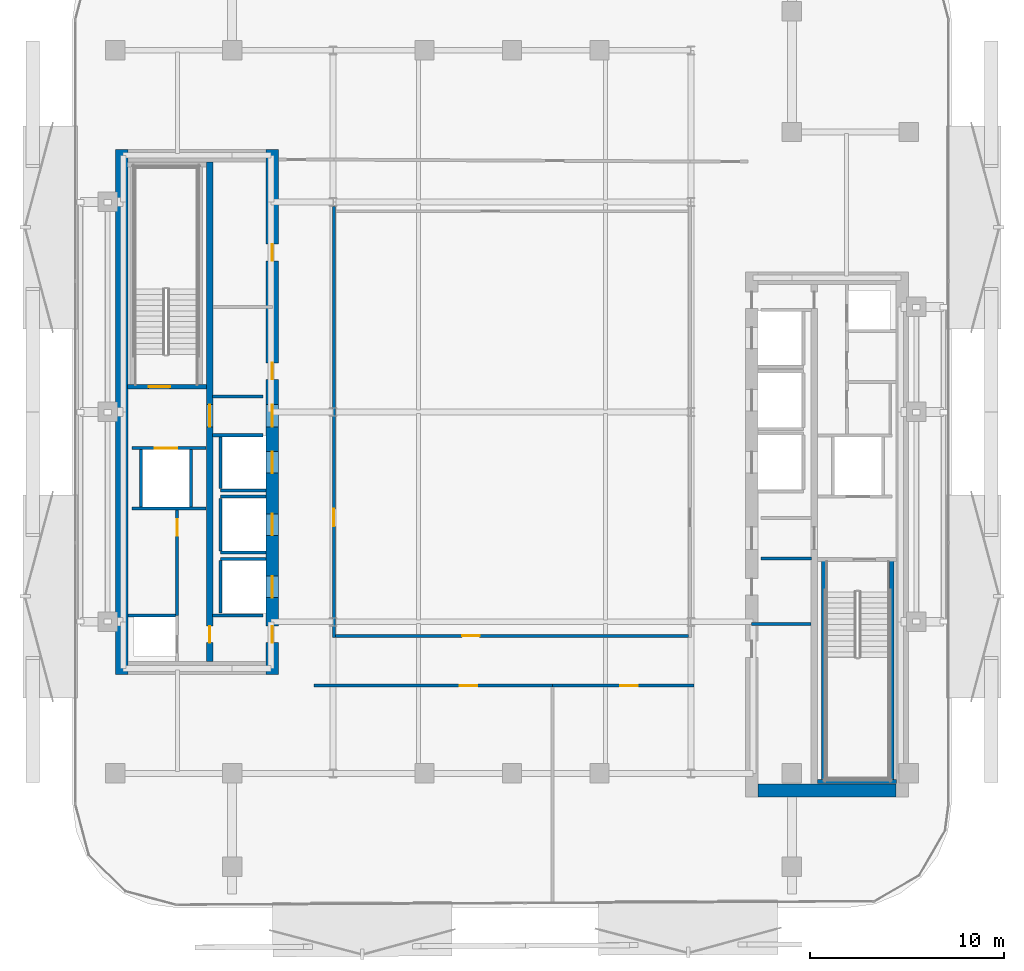
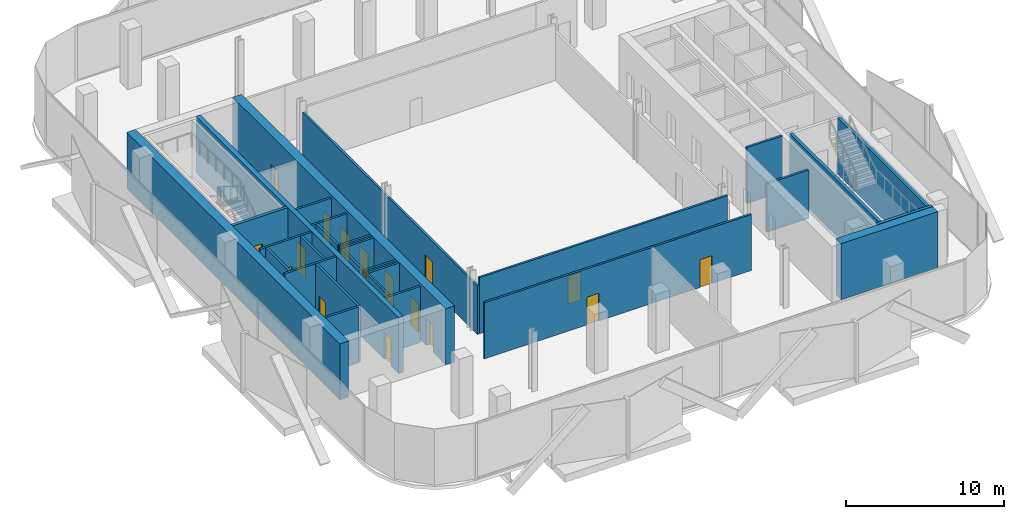
# One storey, part 3 of 14: 30 walls, 16 doors, 16 openings.
"""IFC4 building model written with IfcOpenShell, lengths in metres."""

from ifc_helpers import new_model, si_unit, direction, frame, frame_2d, origin, place, context, subcontext, project, spatial, rectangle, extrude, material, layer, layer_set, type_object, element, fill, save


model = new_model("IFC4")

# Units and contexts
model_context = context("Model", 3, precision=1e-05, world=origin(), true_north=direction((0.0, 1.0)))
body_context = subcontext(model_context, "Body", "Model", "MODEL_VIEW")
ifc_project = project(units=[si_unit("LENGTHUNIT", "METRE"), si_unit("AREAUNIT", "SQUARE_METRE"), si_unit("VOLUMEUNIT", "CUBIC_METRE"), si_unit("PLANEANGLEUNIT", "RADIAN"), si_unit("MASSUNIT", "GRAM", prefix="KILO")], contexts=[model_context])

# Site, building, storey
site_placement = place(None, origin())
site = spatial("IfcSite", under=ifc_project, at=site_placement, CompositionType="ELEMENT")
building_placement = place(site_placement, origin())
building = spatial("IfcBuilding", under=site, at=building_placement, Name="Khairoan Windgate Tower", CompositionType="ELEMENT")
storey_placement = place(building_placement, frame((0.0, 0.0, 160.39990234375)))
storey = spatial("IfcBuildingStorey", under=building, at=storey_placement, Name="L36", CompositionType="ELEMENT", Elevation=160.39990234375)

# Walls
ifc_material_1 = material(Name="Concrete C40/50", Category="concrete")
ifc_layer_1 = layer(ifc_material_1, 0.159912109375, Name="Concrete C40/50")
ifc_layer_set_1 = layer_set([ifc_layer_1], Name="Concrete C40/50")
wall_type_1 = type_object("IfcWallType", Name="Core and Hoistway Enclosure Wall", PredefinedType="STANDARD", material=ifc_layer_set_1)
wall_1_placement = place(storey_placement, frame((-14.989990234375, -4.0400390625, 0.0), z_axis=(0.0, 0.0, 1.0), x_axis=(1.0, 0.0, 0.0)))
element("IfcWall", 1, at=wall_1_placement, inside=storey, type_object=wall_type_1, Name="L36 Lift PL4 Hoistway Divider S", PredefinedType="STANDARD", context=body_context, shape_type="SweptSolid", body=[
    extrude(rectangle(XDim=2.340087890625, YDim=0.159912109375, at=frame_2d((1.169921875, 0.0))), origin(), (0.0, 0.0, 1.0), 4.340087890625),
])
wall_2_placement = place(storey_placement, frame((-14.989990234375, -3.949951171875, 0.0), z_axis=(0.0, 0.0, 1.0), x_axis=(0.0, 1.0, 0.0)))
element("IfcWall", 2, at=wall_2_placement, inside=storey, type_object=wall_type_1, Name="L36 Lift PL4 Hoistway Back Wall", PredefinedType="STANDARD", context=body_context, shape_type="SweptSolid", body=[
    extrude(rectangle(XDim=2.699951171875, YDim=0.159912109375, at=frame_2d((1.35009765625, 0.0))), origin(), (0.0, 0.0, 1.0), 4.340087890625),
])
for number, where, z_axis, x_axis, name in (
    (3, (-14.989990234375, -7.239990234375, 0.0), (0.0, 0.0, 1.0), (1.0, 0.0, 0.0), "L36 Lift PL5 Hoistway Divider S"),
    (4, (-14.989990234375, -4.360107421875, 0.0), (0.0, 0.0, 1.0), (1.0, 0.0, 0.0), "L36 Lift PL5 Hoistway Divider N"),
):
    element("IfcWall", number, at=place(storey_placement, frame(where, z_axis=z_axis, x_axis=x_axis)), inside=storey, type_object=wall_type_1, Name=name, PredefinedType="STANDARD", context=body_context, shape_type="SweptSolid", body=[
        extrude(rectangle(XDim=2.340087890625, YDim=0.159912109375, at=frame_2d((1.169921875, 0.0))), origin(), (0.0, 0.0, 1.0), 4.340087890625),
    ])
wall_3_placement = place(storey_placement, frame((-14.989990234375, -7.14990234375, 0.0), z_axis=(0.0, 0.0, 1.0), x_axis=(0.0, 1.0, 0.0)))
element("IfcWall", 5, at=wall_3_placement, inside=storey, type_object=wall_type_1, Name="L36 Lift PL5 Hoistway Back Wall", PredefinedType="STANDARD", context=body_context, shape_type="SweptSolid", body=[
    extrude(rectangle(XDim=2.699951171875, YDim=0.159912109375, at=frame_2d((1.35009765625, 0.0))), origin(), (0.0, 0.0, 1.0), 4.340087890625),
])
wall_4_placement = place(storey_placement, frame((-14.989990234375, -7.56005859375, 0.0), z_axis=(0.0, 0.0, 1.0), x_axis=(1.0, 0.0, 0.0)))
element("IfcWall", 6, at=wall_4_placement, inside=storey, type_object=wall_type_1, Name="L36 Lift PL6 Hoistway Divider N", PredefinedType="STANDARD", context=body_context, shape_type="SweptSolid", body=[
    extrude(rectangle(XDim=2.340087890625, YDim=0.159912109375, at=frame_2d((1.169921875, 0.0))), origin(), (0.0, 0.0, 1.0), 4.340087890625),
])
wall_5_placement = place(storey_placement, frame((-14.989990234375, -10.35009765625, 0.0), z_axis=(0.0, 0.0, 1.0), x_axis=(0.0, 1.0, 0.0)))
element("IfcWall", 7, at=wall_5_placement, inside=storey, type_object=wall_type_1, Name="L36 Lift PL6 Hoistway Back Wall", PredefinedType="STANDARD", context=body_context, shape_type="SweptSolid", body=[
    extrude(rectangle(XDim=2.7001953125, YDim=0.159912109375, at=frame_2d((1.35009765625, 0.0))), origin(), (0.0, 0.0, 1.0), 4.340087890625),
])

# Wall, opening, door
wall_6_placement = place(storey_placement, frame((-19.550048828125, -1.860107421875, 0.0), z_axis=(0.0, 0.0, 1.0), x_axis=(1.0, 0.0, 0.0)))
wall_6 = element("IfcWall", 8, at=wall_6_placement, inside=storey, type_object=wall_type_1, Name="L36 Core Shaft Wall SW-FL2-L36", PredefinedType="STANDARD", context=body_context, shape_type="SweptSolid", body=[
    extrude(rectangle(XDim=3.800048828125, YDim=0.159912109375, at=frame_2d((1.89990234375, 0.0))), origin(), (0.0, 0.0, 1.0), 4.340087890625),
])
opening_1_placement = place(wall_6_placement, frame((1.179931640625, 0.0, 0.0)))
opening_1 = element("IfcOpeningElement", 9, at=opening_1_placement, cuts=wall_6, Name="Opening LD-FL", PredefinedType="OPENING", context=body_context, shape_type="SweptSolid", body=[
    extrude(rectangle(XDim=1.14990234375, YDim=2.199951171875, at=frame_2d((0.574951171875, 1.10009765625))), frame((0.0, 0.08984375, 0.0), z_axis=(0.0, -1.0, 0.0), x_axis=(1.0, 0.0, 0.0)), (0.0, 0.0, 1.0), 0.179931640625),
])
ifc_material_2 = material(Name="Steel S355", Category="steel")
door_type_1 = type_object("IfcDoorType", Name="Firefighting Lift Sliding Landing Door LD-FL 1150x2200", OperationType="DOUBLE_DOOR_SLIDING", PredefinedType="DOOR", material=ifc_material_2)
door_1_placement = place(opening_1_placement, origin())
door_1 = element("IfcDoor", 10, at=door_1_placement, inside=storey, type_object=door_type_1, Name="L36 Firefighting Lift FL2 Landing Door", OperationType="DOUBLE_DOOR_SLIDING", OverallHeight=2.199951171875, OverallWidth=1.14990234375, PredefinedType="DOOR", context=body_context, shape_type="SweptSolid", body=[
    extrude(rectangle(XDim=1.14990234375, YDim=2.199951171875, at=frame_2d((0.574951171875, 1.10009765625))), frame((0.0, 0.02490234375, 0.0), z_axis=(0.0, -1.0, 0.0), x_axis=(1.0, 0.0, 0.0)), (0.0, 0.0, 1.0), 0.050048828125),
])
fill(opening_1, door_1)

# Walls
wall_7_placement = place(storey_placement, frame((-19.550048828125, -4.97998046875, 0.0), z_axis=(0.0, 0.0, 1.0), x_axis=(1.0, 0.0, 0.0)))
element("IfcWall", 11, at=wall_7_placement, inside=storey, type_object=wall_type_1, Name="L36 Core Shaft Wall SW-FL2B-L36", PredefinedType="STANDARD", context=body_context, shape_type="SweptSolid", body=[
    extrude(rectangle(XDim=3.800048828125, YDim=0.159912109375, at=frame_2d((1.89990234375, 0.0))), origin(), (0.0, 0.0, 1.0), 4.340087890625),
])
for number, where, z_axis, x_axis, name in (
    (12, (-19.080078125, -4.89990234375, 0.0), (0.0, 0.0, 1.0), (0.0, 1.0, 0.0), "L36 Core Shaft Wall SW-FL2W-L36"),
    (13, (-16.52001953125, -4.89990234375, 0.0), (0.0, 0.0, 1.0), (0.0, 1.0, 0.0), "L36 Core Shaft Wall SW-FL2E-L36"),
):
    element("IfcWall", number, at=place(storey_placement, frame(where, z_axis=z_axis, x_axis=x_axis)), inside=storey, type_object=wall_type_1, Name=name, PredefinedType="STANDARD", context=body_context, shape_type="SweptSolid", body=[
        extrude(rectangle(XDim=2.9599609375, YDim=0.159912109375, at=frame_2d((1.47998046875, 0.0))), origin(), (0.0, 0.0, 1.0), 4.340087890625),
    ])
for number, where, z_axis, x_axis, name in (
    (14, (-15.39990234375, 0.800048828125, 0.0), (0.0, 0.0, 1.0), (1.0, 0.0, 0.0), "L36 Core Shaft Wall SW-WV1-L36"),
    (15, (-15.39990234375, -1.199951171875, 0.0), (0.0, 0.0, 1.0), (1.0, 0.0, 0.0), "L36 Core Shaft Wall SW-WV2-L36"),
    (16, (-15.39990234375, -10.47998046875, 0.0), (0.0, 0.0, 1.0), (1.0, 0.0, 0.0), "L36 Core Shaft Wall SW-WSV-L36"),
    (17, (12.800048828125, -7.5400390625, 0.0), (0.0, 0.0, 1.0), (1.0, 0.0, 0.0), "L36 Core Shaft Wall SW-EV2-L36"),
):
    element("IfcWall", number, at=place(storey_placement, frame(where, z_axis=z_axis, x_axis=x_axis)), inside=storey, type_object=wall_type_1, Name=name, PredefinedType="STANDARD", context=body_context, shape_type="SweptSolid", body=[
        extrude(rectangle(XDim=2.599853515625, YDim=0.159912109375, at=frame_2d((1.2998046875, 0.0))), origin(), (0.0, 0.0, 1.0), 4.340087890625),
    ])

# Wall, opening, door
ifc_material_3 = material(Name="Concrete C40/50", Category="concrete")
ifc_layer_2 = layer(ifc_material_3, 0.159912109375, Name="Concrete C40/50")
ifc_layer_set_2 = layer_set([ifc_layer_2], Name="Concrete C40/50")
wall_type_2 = type_object("IfcWallType", Name="Plant and Refuge Compartment Wall", PredefinedType="PARTITIONING", material=ifc_layer_set_2)
wall_8_placement = place(storey_placement, frame((-17.22998046875, -10.469970703125, 0.0), z_axis=(0.0, 0.0, 1.0), x_axis=(0.0, 1.0, 0.0)))
wall_8 = element("IfcWall", 18, at=wall_8_placement, inside=storey, type_object=wall_type_2, Name="L36 Interior Partition 002", PredefinedType="PARTITIONING", context=body_context, shape_type="SweptSolid", body=[
    extrude(rectangle(XDim=5.409912109375, YDim=0.159912109375, at=frame_2d((2.705078125, 0.0))), origin(), (0.0, 0.0, 1.0), 4.340087890625),
])
opening_2_placement = place(wall_8_placement, frame((4.10009765625, 0.0, 0.0)))
opening_2 = element("IfcOpeningElement", 19, at=opening_2_placement, cuts=wall_8, Name="Opening FD-SRV", PredefinedType="OPENING", context=body_context, shape_type="SweptSolid", body=[
    extrude(rectangle(XDim=0.85009765625, YDim=2.10009765625, at=frame_2d((0.425048828125, 1.050048828125))), frame((0.0, 0.08984375, 0.0), z_axis=(0.0, -1.0, 0.0), x_axis=(1.0, 0.0, 0.0)), (0.0, 0.0, 1.0), 0.179931640625),
])
ifc_material_4 = material(Name="Steel S355", Category="steel")
door_type_2 = type_object("IfcDoorType", Name="Core Service and Riser Fire Door FD-SRV 850x2100", OperationType="NOTDEFINED", PredefinedType="DOOR", material=ifc_material_4)
door_2_placement = place(opening_2_placement, origin())
door_2 = element("IfcDoor", 20, at=door_2_placement, inside=storey, type_object=door_type_2, Name="L36 L36-04-L36-06 Door", OperationType="SINGLE_SWING_RIGHT", OverallHeight=2.10009765625, OverallWidth=0.85009765625, PredefinedType="DOOR", context=body_context, shape_type="SweptSolid", body=[
    extrude(rectangle(XDim=0.85009765625, YDim=2.10009765625, at=frame_2d((0.425048828125, 1.050048828125))), frame((0.0, 0.02490234375, 0.0), z_axis=(0.0, -1.0, 0.0), x_axis=(1.0, 0.0, 0.0)), (0.0, 0.0, 1.0), 0.050048828125),
])
fill(opening_2, door_2)

# Walls
wall_9_placement = place(storey_placement, frame((-19.75, -10.469970703125, 0.0), z_axis=(0.0, 0.0, 1.0), x_axis=(1.0, 0.0, 0.0)))
element("IfcWall", 21, at=wall_9_placement, inside=storey, type_object=wall_type_2, Name="L36 Interior Partition 003", PredefinedType="PARTITIONING", context=body_context, shape_type="SweptSolid", body=[
    extrude(rectangle(XDim=2.43994140625, YDim=0.159912109375, at=frame_2d((1.219970703125, 0.0))), origin(), (0.0, 0.0, 1.0), 4.340087890625),
])
wall_10_placement = place(storey_placement, frame((12.31005859375, -10.919921875, 0.0), z_axis=(0.0, 0.0, 1.0), x_axis=(1.0, 0.0, 0.0)))
element("IfcWall", 22, at=wall_10_placement, inside=storey, type_object=wall_type_2, Name="L36 Interior Partition 010", PredefinedType="PARTITIONING", context=body_context, shape_type="SweptSolid", body=[
    extrude(rectangle(XDim=3.06494140625, YDim=0.159912109375, at=frame_2d((1.532470703125, 0.0))), origin(), (0.0, 0.0, 1.0), 3.752197265625),
])

# Wall, opening, door
ifc_material_5 = material(Name="Acoustic Fire-Rated Gypsum Partition", Category="gypsum")
ifc_layer_3 = layer(ifc_material_5, 0.14990234375, Name="Acoustic Fire-Rated Gypsum Partition")
ifc_layer_set_3 = layer_set([ifc_layer_3], Name="Acoustic Fire-Rated Gypsum Partition")
wall_type_3 = type_object("IfcWallType", Name="Rated Corridor Partition Wall", PredefinedType="PARTITIONING", material=ifc_layer_set_3)
wall_11_placement = place(storey_placement, frame((-9.159912109375, -11.594970703125, 0.0), z_axis=(0.0, 0.0, 1.0), x_axis=(0.0, 1.0, 0.0)))
wall_11 = element("IfcWall", 23, at=wall_11_placement, inside=storey, type_object=wall_type_3, Name="L36 Interior Partition 011", PredefinedType="PARTITIONING", context=body_context, shape_type="SweptSolid", body=[
    extrude(rectangle(XDim=22.169677734375, YDim=0.14990234375, at=frame_2d((11.0849609375, 0.0))), origin(), (0.0, 0.0, 1.0), 3.752197265625),
])
opening_3_placement = place(wall_11_placement, frame((5.7041015625, 0.0, 0.0)))
opening_3 = element("IfcOpeningElement", 24, at=opening_3_placement, cuts=wall_11, Name="Opening FD-ENT", PredefinedType="OPENING", context=body_context, shape_type="SweptSolid", body=[
    extrude(rectangle(XDim=0.89990234375, YDim=2.14990234375, at=frame_2d((0.449951171875, 1.074951171875))), frame((0.0, 0.0849609375, 0.0), z_axis=(0.0, -1.0, 0.0), x_axis=(1.0, 0.0, 0.0)), (0.0, 0.0, 1.0), 0.169921875),
])
ifc_material_6 = material(Name="Timber Fire-Rated Core", Category="wood")
door_type_3 = type_object("IfcDoorType", Name="Unit and Office Fire Entrance Door FD-ENT 900x2150", OperationType="NOTDEFINED", PredefinedType="DOOR", material=ifc_material_6)
door_3_placement = place(opening_3_placement, origin())
door_3 = element("IfcDoor", 25, at=door_3_placement, inside=storey, type_object=door_type_3, Name="L36 L36-28-L36-32 Door", OperationType="SINGLE_SWING_RIGHT", OverallHeight=2.14990234375, OverallWidth=0.89990234375, PredefinedType="DOOR", context=body_context, shape_type="SweptSolid", body=[
    extrude(rectangle(XDim=0.89990234375, YDim=2.14990234375, at=frame_2d((0.449951171875, 1.074951171875))), frame((0.0, 0.02490234375, 0.0), z_axis=(0.0, -1.0, 0.0), x_axis=(1.0, 0.0, 0.0)), (0.0, 0.0, 1.0), 0.050048828125),
])
fill(opening_3, door_3)

wall_12_placement = place(storey_placement, frame((-9.0849609375, -11.52001953125, 0.0), z_axis=(0.0, 0.0, 1.0), x_axis=(1.0, 0.0, 0.0)))
wall_12 = element("IfcWall", 26, at=wall_12_placement, inside=storey, type_object=wall_type_3, Name="L36 Interior Partition 015", PredefinedType="PARTITIONING", context=body_context, shape_type="SweptSolid", body=[
    extrude(rectangle(XDim=18.169921875, YDim=0.14990234375, at=frame_2d((9.0849609375, 0.0))), origin(), (0.0, 0.0, 1.0), 4.340087890625),
])
opening_4_placement = place(wall_12_placement, frame((6.515625, 0.0, 0.0)))
opening_4 = element("IfcOpeningElement", 27, at=opening_4_placement, cuts=wall_12, Name="Opening FD-ENT", PredefinedType="OPENING", context=body_context, shape_type="SweptSolid", body=[
    extrude(rectangle(XDim=0.89990234375, YDim=2.14990234375, at=frame_2d((0.449951171875, 1.074951171875))), frame((0.0, 0.0849609375, 0.0), z_axis=(0.0, -1.0, 0.0), x_axis=(1.0, 0.0, 0.0)), (0.0, 0.0, 1.0), 0.169921875),
])
door_4_placement = place(opening_4_placement, origin())
door_4 = element("IfcDoor", 28, at=door_4_placement, inside=storey, type_object=door_type_3, Name="L36 L36-30-L36-32 Door", OperationType="SINGLE_SWING_RIGHT", OverallHeight=2.14990234375, OverallWidth=0.89990234375, PredefinedType="DOOR", context=body_context, shape_type="SweptSolid", body=[
    extrude(rectangle(XDim=0.89990234375, YDim=2.14990234375, at=frame_2d((0.449951171875, 1.074951171875))), frame((0.0, 0.02490234375, 0.0), z_axis=(0.0, -1.0, 0.0), x_axis=(1.0, 0.0, 0.0)), (0.0, 0.0, 1.0), 0.050048828125),
])
fill(opening_4, door_4)

wall_13_placement = place(storey_placement, frame((-10.18994140625, -14.080078125, 0.0), z_axis=(0.0, 0.0, 1.0), x_axis=(1.0, 0.0, 0.0)))
wall_13 = element("IfcWall", 29, at=wall_13_placement, inside=storey, type_object=wall_type_3, Name="L36 Interior Partition 016", PredefinedType="PARTITIONING", context=body_context, shape_type="SweptSolid", body=[
    extrude(rectangle(XDim=12.27001953125, YDim=0.14990234375, at=frame_2d((6.135009765625, 0.0))), origin(), (0.0, 0.0, 1.0), 4.340087890625),
])
opening_5_placement = place(wall_13_placement, frame((7.49365234375, 0.0, 0.0)))
opening_5 = element("IfcOpeningElement", 30, at=opening_5_placement, cuts=wall_13, Name="Opening FD-ENT", PredefinedType="OPENING", context=body_context, shape_type="SweptSolid", body=[
    extrude(rectangle(XDim=0.89990234375, YDim=2.14990234375, at=frame_2d((0.449951171875, 1.074951171875))), frame((0.0, 0.0849609375, 0.0), z_axis=(0.0, -1.0, 0.0), x_axis=(1.0, 0.0, 0.0)), (0.0, 0.0, 1.0), 0.169921875),
])
door_5_placement = place(opening_5_placement, origin())
door_5 = element("IfcDoor", 31, at=door_5_placement, inside=storey, type_object=door_type_3, Name="L36 L36-30-L36-34 Door", OperationType="SINGLE_SWING_LEFT", OverallHeight=2.14990234375, OverallWidth=0.89990234375, PredefinedType="DOOR", context=body_context, shape_type="SweptSolid", body=[
    extrude(rectangle(XDim=0.89990234375, YDim=2.14990234375, at=frame_2d((0.449951171875, 1.074951171875))), frame((0.0, 0.02490234375, 0.0), z_axis=(0.0, -1.0, 0.0), x_axis=(1.0, 0.0, 0.0)), (0.0, 0.0, 1.0), 0.050048828125),
])
fill(opening_5, door_5)

wall_14_placement = place(storey_placement, frame((2.080078125, -14.080078125, 0.0), z_axis=(0.0, 0.0, 1.0), x_axis=(1.0, 0.0, 0.0)))
wall_14 = element("IfcWall", 32, at=wall_14_placement, inside=storey, type_object=wall_type_3, Name="L36 Interior Partition 017", PredefinedType="PARTITIONING", context=body_context, shape_type="SweptSolid", body=[
    extrude(rectangle(XDim=7.280029296875, YDim=0.14990234375, at=frame_2d((3.64013671875, 0.0))), origin(), (0.0, 0.0, 1.0), 4.340087890625),
])
opening_6_placement = place(wall_14_placement, frame((3.493408203125, 0.0, 0.0)))
opening_6 = element("IfcOpeningElement", 33, at=opening_6_placement, cuts=wall_14, Name="Opening FD-ENT", PredefinedType="OPENING", context=body_context, shape_type="SweptSolid", body=[
    extrude(rectangle(XDim=0.89990234375, YDim=2.14990234375, at=frame_2d((0.449951171875, 1.074951171875))), frame((0.0, 0.0849609375, 0.0), z_axis=(0.0, -1.0, 0.0), x_axis=(1.0, 0.0, 0.0)), (0.0, 0.0, 1.0), 0.169921875),
])
door_6_placement = place(opening_6_placement, origin())
door_6 = element("IfcDoor", 34, at=door_6_placement, inside=storey, type_object=door_type_3, Name="L36 L36-30-L36-35 Door", OperationType="SINGLE_SWING_RIGHT", OverallHeight=2.14990234375, OverallWidth=0.89990234375, PredefinedType="DOOR", context=body_context, shape_type="SweptSolid", body=[
    extrude(rectangle(XDim=0.89990234375, YDim=2.14990234375, at=frame_2d((0.449951171875, 1.074951171875))), frame((0.0, 0.02490234375, 0.0), z_axis=(0.0, -1.0, 0.0), x_axis=(1.0, 0.0, 0.0)), (0.0, 0.0, 1.0), 0.050048828125),
])
fill(opening_6, door_6)

# Walls
ifc_material_7 = material(Name="Concrete C60/75", Category="concrete")
ifc_layer_4 = layer(ifc_material_7, 0.64990234375, Name="Concrete C60/75")
ifc_layer_set_4 = layer_set([ifc_layer_4], Name="Concrete C60/75")
wall_type_4 = type_object("IfcWallType", Name="Shear Wall CW-E2 650mm", PredefinedType="SHEAR", material=ifc_layer_set_4)
wall_15_placement = place(storey_placement, frame((12.64990234375, -19.47509765625, 0.0), z_axis=(0.0, 0.0, 1.0), x_axis=(1.0, 0.0, 0.0)))
element("IfcWall", 35, at=wall_15_placement, inside=storey, type_object=wall_type_4, Name="E Core South Shear Wall L36", PredefinedType="SHEAR", context=body_context, shape_type="SweptSolid", body=[
    extrude(rectangle(XDim=7.10009765625, YDim=0.64990234375, at=frame_2d((3.550048828125, 0.0))), origin(), (0.0, 0.0, 1.0), 4.340087890625),
])
ifc_material_8 = material(Name="Concrete C60/75", Category="concrete")
ifc_layer_5 = layer(ifc_material_8, 0.64990234375, Name="Concrete C60/75")
ifc_layer_set_5 = layer_set([ifc_layer_5], Name="Concrete C60/75")
wall_type_5 = type_object("IfcWallType", Name="Shear Wall CW-W2 650mm", PredefinedType="SHEAR", material=ifc_layer_set_5)
wall_16_placement = place(storey_placement, frame((-20.074951171875, -13.5, 0.0), z_axis=(0.0, 0.0, 1.0), x_axis=(0.0, 1.0, 0.0)))
element("IfcWall", 36, at=wall_16_placement, inside=storey, type_object=wall_type_5, Name="W Core West Shear Wall L36", PredefinedType="SHEAR", context=body_context, shape_type="SweptSolid", body=[
    extrude(rectangle(XDim=27.0, YDim=0.64990234375, at=frame_2d((13.5, 0.0))), origin(), (0.0, 0.0, 1.0), 4.340087890625),
])

# Wall, openings, doors
wall_17_placement = place(storey_placement, frame((-12.324951171875, -13.5, 0.0), z_axis=(0.0, 0.0, 1.0), x_axis=(0.0, 1.0, 0.0)))
wall_17 = element("IfcWall", 37, at=wall_17_placement, inside=storey, type_object=wall_type_5, Name="W Core East Shear Wall L36", PredefinedType="SHEAR", context=body_context, shape_type="SweptSolid", body=[
    extrude(rectangle(XDim=27.0, YDim=0.64990234375, at=frame_2d((13.5, 0.0))), origin(), (0.0, 0.0, 1.0), 4.340087890625),
])
opening_7_placement = place(wall_17_placement, frame((10.35009765625, 0.0, 0.0)))
opening_7 = element("IfcOpeningElement", 38, at=opening_7_placement, cuts=wall_17, Name="Opening LD-PL", PredefinedType="OPENING", context=body_context, shape_type="SweptSolid", body=[
    extrude(rectangle(XDim=1.10009765625, YDim=2.199951171875, at=frame_2d((0.550048828125, 1.10009765625))), frame((0.0, 0.3349609375, 0.0), z_axis=(0.0, -1.0, 0.0), x_axis=(1.0, 0.0, 0.0)), (0.0, 0.0, 1.0), 0.669921875),
])
opening_8_placement = place(wall_17_placement, frame((7.14990234375, 0.0, 0.0)))
opening_8 = element("IfcOpeningElement", 39, at=opening_8_placement, cuts=wall_17, Name="Opening LD-PL", PredefinedType="OPENING", context=body_context, shape_type="SweptSolid", body=[
    extrude(rectangle(XDim=1.10009765625, YDim=2.199951171875, at=frame_2d((0.550048828125, 1.10009765625))), frame((0.0, 0.3349609375, 0.0), z_axis=(0.0, -1.0, 0.0), x_axis=(1.0, 0.0, 0.0)), (0.0, 0.0, 1.0), 0.669921875),
])
opening_9_placement = place(wall_17_placement, frame((3.949951171875, 0.0, 0.0)))
opening_9 = element("IfcOpeningElement", 40, at=opening_9_placement, cuts=wall_17, Name="Opening LD-PL", PredefinedType="OPENING", context=body_context, shape_type="SweptSolid", body=[
    extrude(rectangle(XDim=1.10009765625, YDim=2.199951171875, at=frame_2d((0.550048828125, 1.10009765625))), frame((0.0, 0.3349609375, 0.0), z_axis=(0.0, -1.0, 0.0), x_axis=(1.0, 0.0, 0.0)), (0.0, 0.0, 1.0), 0.669921875),
])
opening_10_placement = place(wall_17_placement, frame((15.175048828125, 0.0, 0.0)))
opening_10 = element("IfcOpeningElement", 41, at=opening_10_placement, cuts=wall_17, Name="Opening FD-SRV", PredefinedType="OPENING", context=body_context, shape_type="SweptSolid", body=[
    extrude(rectangle(XDim=0.85009765625, YDim=2.10009765625, at=frame_2d((0.425048828125, 1.050048828125))), frame((0.0, 0.3349609375, 0.0), z_axis=(0.0, -1.0, 0.0), x_axis=(1.0, 0.0, 0.0)), (0.0, 0.0, 1.0), 0.669921875),
])
opening_11_placement = place(wall_17_placement, frame((21.27490234375, 0.0, 0.0)))
opening_11 = element("IfcOpeningElement", 42, at=opening_11_placement, cuts=wall_17, Name="Opening FD-SRV", PredefinedType="OPENING", context=body_context, shape_type="SweptSolid", body=[
    extrude(rectangle(XDim=0.85009765625, YDim=2.10009765625, at=frame_2d((0.425048828125, 1.050048828125))), frame((0.0, 0.3349609375, 0.0), z_axis=(0.0, -1.0, 0.0), x_axis=(1.0, 0.0, 0.0)), (0.0, 0.0, 1.0), 0.669921875),
])
opening_12_placement = place(wall_17_placement, frame((12.72509765625, 0.0, 0.0)))
opening_12 = element("IfcOpeningElement", 43, at=opening_12_placement, cuts=wall_17, Name="Opening FD-FFL", PredefinedType="OPENING", context=body_context, shape_type="SweptSolid", body=[
    extrude(rectangle(XDim=1.14990234375, YDim=2.199951171875, at=frame_2d((0.574951171875, 1.10009765625))), frame((0.0, 0.3349609375, 0.0), z_axis=(0.0, -1.0, 0.0), x_axis=(1.0, 0.0, 0.0)), (0.0, 0.0, 1.0), 0.669921875),
])
opening_13_placement = place(wall_17_placement, frame((1.625, 0.0, 0.0)))
opening_13 = element("IfcOpeningElement", 44, at=opening_13_placement, cuts=wall_17, Name="Opening FD-SRV", PredefinedType="OPENING", context=body_context, shape_type="SweptSolid", body=[
    extrude(rectangle(XDim=0.85009765625, YDim=2.10009765625, at=frame_2d((0.425048828125, 1.050048828125))), frame((0.0, 0.3349609375, 0.0), z_axis=(0.0, -1.0, 0.0), x_axis=(1.0, 0.0, 0.0)), (0.0, 0.0, 1.0), 0.669921875),
])
door_7_placement = place(opening_10_placement, origin())
door_7 = element("IfcDoor", 45, at=door_7_placement, inside=storey, type_object=door_type_2, Name="L36 Upper Core Room Door B1-1", OperationType="SINGLE_SWING_LEFT", OverallHeight=2.10009765625, OverallWidth=0.85009765625, PredefinedType="DOOR", context=body_context, shape_type="SweptSolid", body=[
    extrude(rectangle(XDim=0.85009765625, YDim=2.10009765625, at=frame_2d((0.425048828125, 1.050048828125))), frame((0.0, 0.02490234375, 0.0), z_axis=(0.0, -1.0, 0.0), x_axis=(1.0, 0.0, 0.0)), (0.0, 0.0, 1.0), 0.050048828125),
])
fill(opening_10, door_7)
door_8_placement = place(opening_11_placement, origin())
door_8 = element("IfcDoor", 46, at=door_8_placement, inside=storey, type_object=door_type_2, Name="L36 Upper Core Room Door B1-2", OperationType="SINGLE_SWING_RIGHT", OverallHeight=2.10009765625, OverallWidth=0.85009765625, PredefinedType="DOOR", context=body_context, shape_type="SweptSolid", body=[
    extrude(rectangle(XDim=0.85009765625, YDim=2.10009765625, at=frame_2d((0.425048828125, 1.050048828125))), frame((0.0, 0.02490234375, 0.0), z_axis=(0.0, -1.0, 0.0), x_axis=(1.0, 0.0, 0.0)), (0.0, 0.0, 1.0), 0.050048828125),
])
fill(opening_11, door_8)
door_9_placement = place(opening_13_placement, origin())
door_9 = element("IfcDoor", 47, at=door_9_placement, inside=storey, type_object=door_type_2, Name="L36 West Core Service Vestibule Outer Door", OperationType="SINGLE_SWING_LEFT", OverallHeight=2.10009765625, OverallWidth=0.85009765625, PredefinedType="DOOR", context=body_context, shape_type="SweptSolid", body=[
    extrude(rectangle(XDim=0.85009765625, YDim=2.10009765625, at=frame_2d((0.425048828125, 1.050048828125))), frame((0.0, 0.02490234375, 0.0), z_axis=(0.0, -1.0, 0.0), x_axis=(1.0, 0.0, 0.0)), (0.0, 0.0, 1.0), 0.050048828125),
])
fill(opening_13, door_9)
ifc_material_9 = material(Name="Steel S355", Category="steel")
door_type_4 = type_object("IfcDoorType", Name="Firefighting Lobby Fire Door FD-FFL 1150x2200", OperationType="NOTDEFINED", PredefinedType="DOOR", material=ifc_material_9)
door_10_placement = place(opening_12_placement, origin())
door_10 = element("IfcDoor", 48, at=door_10_placement, inside=storey, type_object=door_type_4, Name="L36 West Core Vestibule Entry Door", OperationType="SINGLE_SWING_LEFT", OverallHeight=2.199951171875, OverallWidth=1.14990234375, PredefinedType="DOOR", context=body_context, shape_type="SweptSolid", body=[
    extrude(rectangle(XDim=1.14990234375, YDim=2.199951171875, at=frame_2d((0.574951171875, 1.10009765625))), frame((0.0, 0.02490234375, 0.0), z_axis=(0.0, -1.0, 0.0), x_axis=(1.0, 0.0, 0.0)), (0.0, 0.0, 1.0), 0.050048828125),
])
fill(opening_12, door_10)
ifc_material_10 = material(Name="Anodised Bronze Aluminium 6063-T6", Category="aluminium")
door_type_5 = type_object("IfcDoorType", Name="Passenger Lift Sliding Landing Door LD-PL 1100x2200", OperationType="DOUBLE_DOOR_SLIDING", PredefinedType="DOOR", material=ifc_material_10)
door_11_placement = place(opening_7_placement, origin())
door_11 = element("IfcDoor", 49, at=door_11_placement, inside=storey, type_object=door_type_5, Name="L36 Lift PL4 Sliding Landing Door", OperationType="DOUBLE_DOOR_SLIDING", OverallHeight=2.199951171875, OverallWidth=1.10009765625, PredefinedType="DOOR", context=body_context, shape_type="SweptSolid", body=[
    extrude(rectangle(XDim=1.10009765625, YDim=2.199951171875, at=frame_2d((0.550048828125, 1.10009765625))), frame((0.0, 0.02490234375, 0.0), z_axis=(0.0, -1.0, 0.0), x_axis=(1.0, 0.0, 0.0)), (0.0, 0.0, 1.0), 0.050048828125),
])
fill(opening_7, door_11)
door_12_placement = place(opening_8_placement, origin())
door_12 = element("IfcDoor", 50, at=door_12_placement, inside=storey, type_object=door_type_5, Name="L36 Lift PL5 Sliding Landing Door", OperationType="DOUBLE_DOOR_SLIDING", OverallHeight=2.199951171875, OverallWidth=1.10009765625, PredefinedType="DOOR", context=body_context, shape_type="SweptSolid", body=[
    extrude(rectangle(XDim=1.10009765625, YDim=2.199951171875, at=frame_2d((0.550048828125, 1.10009765625))), frame((0.0, 0.02490234375, 0.0), z_axis=(0.0, -1.0, 0.0), x_axis=(1.0, 0.0, 0.0)), (0.0, 0.0, 1.0), 0.050048828125),
])
fill(opening_8, door_12)
door_13_placement = place(opening_9_placement, origin())
door_13 = element("IfcDoor", 51, at=door_13_placement, inside=storey, type_object=door_type_5, Name="L36 Lift PL6 Sliding Landing Door", OperationType="DOUBLE_DOOR_SLIDING", OverallHeight=2.199951171875, OverallWidth=1.10009765625, PredefinedType="DOOR", context=body_context, shape_type="SweptSolid", body=[
    extrude(rectangle(XDim=1.10009765625, YDim=2.199951171875, at=frame_2d((0.550048828125, 1.10009765625))), frame((0.0, 0.02490234375, 0.0), z_axis=(0.0, -1.0, 0.0), x_axis=(1.0, 0.0, 0.0)), (0.0, 0.0, 1.0), 0.050048828125),
])
fill(opening_9, door_13)

ifc_material_11 = material(Name="Concrete C60/75", Category="concrete")
ifc_layer_6 = layer(ifc_material_11, 0.35009765625, Name="Concrete C60/75")
ifc_layer_set_6 = layer_set([ifc_layer_6], Name="Concrete C60/75")
wall_type_6 = type_object("IfcWallType", Name="Shear Wall SW-1 350mm", PredefinedType="SHEAR", material=ifc_layer_set_6)
wall_18_placement = place(storey_placement, frame((-15.550048828125, -12.85009765625, 0.0), z_axis=(0.0, 0.0, 1.0), x_axis=(0.0, 1.0, 0.0)))
wall_18 = element("IfcWall", 52, at=wall_18_placement, inside=storey, type_object=wall_type_6, Name="W Core Spine Shear Wall L36", PredefinedType="SHEAR", context=body_context, shape_type="SweptSolid", body=[
    extrude(rectangle(XDim=25.7001953125, YDim=0.35009765625, at=frame_2d((12.85009765625, 0.0))), origin(), (0.0, 0.0, 1.0), 4.340087890625),
])
opening_14_placement = place(wall_18_placement, frame((12.074951171875, 0.0, 0.0)))
opening_14 = element("IfcOpeningElement", 53, at=opening_14_placement, cuts=wall_18, Name="Opening FD-FFL", PredefinedType="OPENING", context=body_context, shape_type="SweptSolid", body=[
    extrude(rectangle(XDim=1.14990234375, YDim=2.199951171875, at=frame_2d((0.574951171875, 1.10009765625))), frame((0.0, 0.18505859375, 0.0), z_axis=(0.0, -1.0, 0.0), x_axis=(1.0, 0.0, 0.0)), (0.0, 0.0, 1.0), 0.3701171875),
])
opening_15_placement = place(wall_18_placement, frame((0.97509765625, 0.0, 0.0)))
opening_15 = element("IfcOpeningElement", 54, at=opening_15_placement, cuts=wall_18, Name="Opening FD-SRV", PredefinedType="OPENING", context=body_context, shape_type="SweptSolid", body=[
    extrude(rectangle(XDim=0.85009765625, YDim=2.10009765625, at=frame_2d((0.425048828125, 1.050048828125))), frame((0.0, 0.18505859375, 0.0), z_axis=(0.0, -1.0, 0.0), x_axis=(1.0, 0.0, 0.0)), (0.0, 0.0, 1.0), 0.3701171875),
])
door_14_placement = place(opening_15_placement, origin())
door_14 = element("IfcDoor", 55, at=door_14_placement, inside=storey, type_object=door_type_2, Name="L36 West Core Service Passage Inner Door", OperationType="SINGLE_SWING_RIGHT", OverallHeight=2.10009765625, OverallWidth=0.85009765625, PredefinedType="DOOR", context=body_context, shape_type="SweptSolid", body=[
    extrude(rectangle(XDim=0.85009765625, YDim=2.10009765625, at=frame_2d((0.425048828125, 1.050048828125))), frame((0.0, 0.02490234375, 0.0), z_axis=(0.0, -1.0, 0.0), x_axis=(1.0, 0.0, 0.0)), (0.0, 0.0, 1.0), 0.050048828125),
])
fill(opening_15, door_14)
door_15_placement = place(opening_14_placement, origin())
door_15 = element("IfcDoor", 56, at=door_15_placement, inside=storey, type_object=door_type_4, Name="L36 West Firefighting Lobby Fire Door", OperationType="SINGLE_SWING_RIGHT", OverallHeight=2.199951171875, OverallWidth=1.14990234375, PredefinedType="DOOR", context=body_context, shape_type="SweptSolid", body=[
    extrude(rectangle(XDim=1.14990234375, YDim=2.199951171875, at=frame_2d((0.574951171875, 1.10009765625))), frame((0.0, 0.02490234375, 0.0), z_axis=(0.0, -1.0, 0.0), x_axis=(1.0, 0.0, 0.0)), (0.0, 0.0, 1.0), 0.050048828125),
])
fill(opening_14, door_15)

# Walls
ifc_material_12 = material(Name="Concrete C50/60", Category="concrete")
ifc_layer_7 = layer(ifc_material_12, 0.219970703125, Name="Concrete C50/60")
ifc_layer_set_7 = layer_set([ifc_layer_7], Name="Concrete C50/60")
wall_type_7 = type_object("IfcWallType", Name="Shear Wall SW-ST 220mm", PredefinedType="SHEAR", material=ifc_layer_set_7)
for number, where, z_axis, x_axis, name in (
    (57, (16.0400390625, -19.010009765625, 0.0), (0.0, 0.0, 1.0), (0.0, 1.0, 0.0), "L36 Stair ST1 West Bearing Wall"),
    (58, (19.530029296875, -19.010009765625, 0.0), (0.0, 0.0, 1.0), (0.0, 1.0, 0.0), "L36 Stair ST1 East Bearing Wall"),
):
    element("IfcWall", number, at=place(storey_placement, frame(where, z_axis=z_axis, x_axis=x_axis)), inside=storey, type_object=wall_type_7, Name=name, PredefinedType="SHEAR", context=body_context, shape_type="SweptSolid", body=[
        extrude(rectangle(XDim=11.419921875, YDim=0.219970703125, at=frame_2d((5.7099609375, 0.0))), origin(), (0.0, 0.0, 1.0), 4.340087890625),
    ])
wall_19_placement = place(storey_placement, frame((15.705078125, -19.010009765625, 0.0), z_axis=(0.0, 0.0, 1.0), x_axis=(1.0, 0.0, 0.0)))
element("IfcWall", 59, at=wall_19_placement, inside=storey, type_object=wall_type_7, Name="L36 Stair ST1 South Bearing Wall", PredefinedType="SHEAR", context=body_context, shape_type="SweptSolid", body=[
    extrude(rectangle(XDim=4.06494140625, YDim=0.219970703125, at=frame_2d((2.032470703125, 0.0))), origin(), (0.0, 0.0, 1.0), 4.340087890625),
])

# Wall, opening, door
wall_20_placement = place(storey_placement, frame((-19.77001953125, 1.2900390625, 0.0), z_axis=(0.0, 0.0, 1.0), x_axis=(1.0, 0.0, 0.0)))
wall_20 = element("IfcWall", 60, at=wall_20_placement, inside=storey, type_object=wall_type_7, Name="L36 Stair ST2 South Bearing Wall", PredefinedType="SHEAR", context=body_context, shape_type="SweptSolid", body=[
    extrude(rectangle(XDim=4.06494140625, YDim=0.219970703125, at=frame_2d((2.032470703125, 0.0))), origin(), (0.0, 0.0, 1.0), 4.340087890625),
])
opening_16_placement = place(wall_20_placement, frame((1.080078125, 0.0, 0.0)))
opening_16 = element("IfcOpeningElement", 61, at=opening_16_placement, cuts=wall_20, Name="Opening FD-ST", PredefinedType="OPENING", context=body_context, shape_type="SweptSolid", body=[
    extrude(rectangle(XDim=1.10009765625, YDim=2.199951171875, at=frame_2d((0.550048828125, 1.10009765625))), frame((0.0, 0.119873046875, 0.0), z_axis=(0.0, -1.0, 0.0), x_axis=(1.0, 0.0, 0.0)), (0.0, 0.0, 1.0), 0.239990234375),
])
ifc_material_13 = material(Name="Steel S355", Category="steel")
door_type_6 = type_object("IfcDoorType", Name="Smokeproof Stair Fire Door FD-ST 1100x2200", OperationType="NOTDEFINED", PredefinedType="DOOR", material=ifc_material_13)
door_16_placement = place(opening_16_placement, origin())
door_16 = element("IfcDoor", 62, at=door_16_placement, inside=storey, type_object=door_type_6, Name="L36 Stair ST2 Fire Door", OperationType="SINGLE_SWING_RIGHT", OverallHeight=2.199951171875, OverallWidth=1.10009765625, PredefinedType="DOOR", context=body_context, shape_type="SweptSolid", body=[
    extrude(rectangle(XDim=1.10009765625, YDim=2.199951171875, at=frame_2d((0.550048828125, 1.10009765625))), frame((0.0, 0.02490234375, 0.0), z_axis=(0.0, -1.0, 0.0), x_axis=(1.0, 0.0, 0.0)), (0.0, 0.0, 1.0), 0.050048828125),
])
fill(opening_16, door_16)

save(model, "model.ifc")
